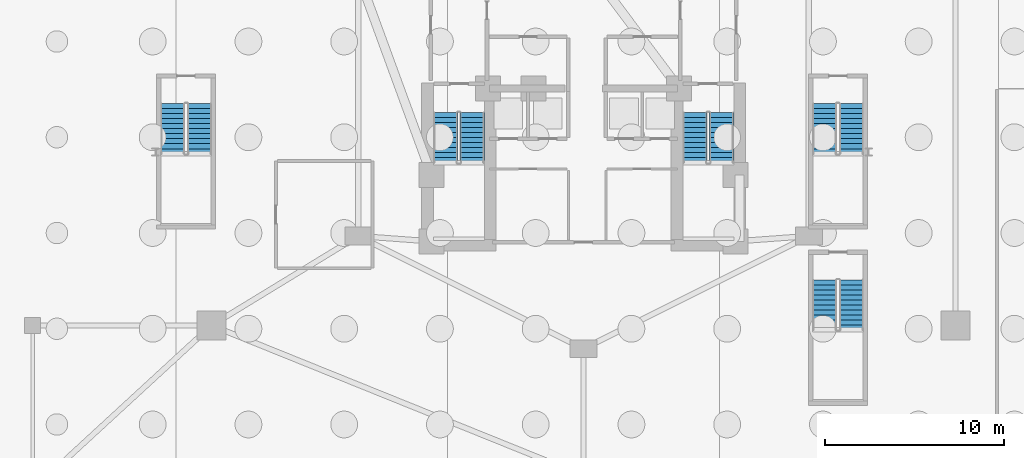
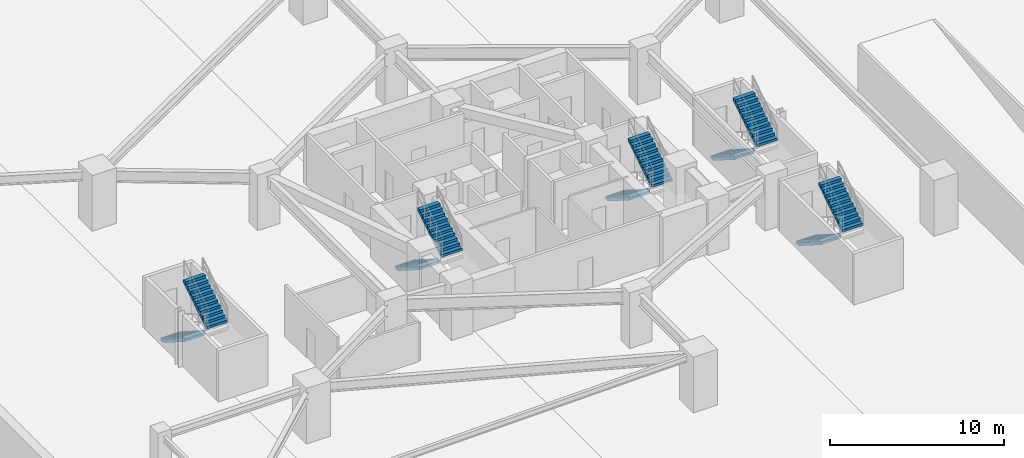
# One storey, part 11 of 14: 10 stair flights, 5 elements without a shape of their own.
"""IFC4 building model written with IfcOpenShell, lengths in metres."""

from ifc_helpers import new_model, si_unit, direction, frame, origin, place, context, subcontext, project, spatial, polyline, outline, extrude, material, type_object, element, aggregate, save


model = new_model("IFC4")

# Units and contexts
model_context = context("Model", 3, precision=1e-05, world=origin(), true_north=direction((0.0, 1.0)))
body_context = subcontext(model_context, "Body", "Model", "MODEL_VIEW")
ifc_project = project(units=[si_unit("LENGTHUNIT", "METRE"), si_unit("AREAUNIT", "SQUARE_METRE"), si_unit("VOLUMEUNIT", "CUBIC_METRE"), si_unit("PLANEANGLEUNIT", "RADIAN"), si_unit("MASSUNIT", "GRAM", prefix="KILO")], contexts=[model_context])

# Site, building, storey
site_placement = place(None, origin())
site = spatial("IfcSite", under=ifc_project, at=site_placement, CompositionType="ELEMENT")
building_placement = place(site_placement, origin())
building = spatial("IfcBuilding", under=site, at=building_placement, Name="Miruveldt Soraemaru", CompositionType="ELEMENT")
storey_placement = place(building_placement, frame((0.0, 0.0, -15.60009765625)))
storey = spatial("IfcBuildingStorey", under=building, at=storey_placement, Name="B4", CompositionType="ELEMENT", Elevation=-15.60009765625)

# Stair, stair flights
ifc_material_1 = material(Name="Concrete C40/50 (40 MPa)", Category="concrete")
stair_type_1 = type_object("IfcStairType", Name="STAIR-DL-390", PredefinedType="HALF_TURN_STAIR", material=ifc_material_1)
stair_1_placement = place(storey_placement, origin())
stair_1 = element("IfcStair", 1, at=stair_1_placement, inside=storey, type_object=stair_type_1, Name="B4 Protected Exit Stair ST-1", PredefinedType="HALF_TURN_STAIR")
stair_flight_type_1 = type_object("IfcStairFlightType", Name="SFL-DL-390", PredefinedType="STRAIGHT", material=ifc_material_1)
stair_flight_1_placement = place(storey_placement, frame((36.27490234375, 42.699951171875, 0.0), z_axis=(0.0, 0.0, 1.0), x_axis=(0.0, -1.0, 0.0)))
stair_flight_1 = element("IfcStairFlight", 2, at=stair_flight_1_placement, type_object=stair_flight_type_1, Name="ST-1 flight 1", NumberOfRisers=11, NumberOfTreads=10, PredefinedType="STRAIGHT", RiserHeight=0.177272727, TreadLength=0.28, context=body_context, shape_type="SweptSolid", body=[
    extrude(outline(polyline([(0.0, 0.0), (0.0, 0.17724609375), (0.280029296875, 0.17724609375), (0.280029296875, 0.3544921875), (0.56005859375, 0.3544921875), (0.56005859375, 0.53173828125), (0.840087890625, 0.53173828125), (0.840087890625, 0.708984375), (1.1201171875, 0.708984375), (1.1201171875, 0.886474609375), (1.39990234375, 0.886474609375), (1.39990234375, 1.063720703125), (1.679931640625, 1.063720703125), (1.679931640625, 1.240966796875), (1.9599609375, 1.240966796875), (1.9599609375, 1.418212890625), (2.239990234375, 1.418212890625), (2.239990234375, 1.595458984375), (2.52001953125, 1.595458984375), (2.52001953125, 1.772705078125), (2.800048828125, 1.772705078125), (2.800048828125, 1.949951171875), (2.800048828125, 1.58349609375), (0.298828125, 0.0), (0.0, 0.0)])), frame((0.0, 0.675048828125, 0.0), z_axis=(0.0, -1.0, 0.0), x_axis=(1.0, 0.0, 0.0)), (0.0, 0.0, 1.0), 1.35009765625),
])
stair_flight_2_placement = place(storey_placement, frame((37.77490234375, 39.89990234375, 1.9501953125), z_axis=(0.0, 0.0, 1.0), x_axis=(0.0, 1.0, 0.0)))
stair_flight_2 = element("IfcStairFlight", 3, at=stair_flight_2_placement, type_object=stair_flight_type_1, Name="ST-1 flight 2", NumberOfRisers=11, NumberOfTreads=10, PredefinedType="STRAIGHT", RiserHeight=0.177272727, TreadLength=0.28, context=body_context, shape_type="SweptSolid", body=[
    extrude(outline(polyline([(0.0, 0.0), (0.0, 0.17724609375), (0.280029296875, 0.17724609375), (0.280029296875, 0.3544921875), (0.56005859375, 0.3544921875), (0.56005859375, 0.53173828125), (0.840087890625, 0.53173828125), (0.840087890625, 0.708984375), (1.1201171875, 0.708984375), (1.1201171875, 0.886474609375), (1.39990234375, 0.886474609375), (1.39990234375, 1.063720703125), (1.679931640625, 1.063720703125), (1.679931640625, 1.240966796875), (1.9599609375, 1.240966796875), (1.9599609375, 1.418212890625), (2.239990234375, 1.418212890625), (2.239990234375, 1.595458984375), (2.52001953125, 1.595458984375), (2.52001953125, 1.772705078125), (2.800048828125, 1.772705078125), (2.800048828125, 1.949951171875), (2.800048828125, 1.58349609375), (0.298828125, 0.0), (0.0, 0.0)])), frame((0.0, 0.675048828125, 0.0), z_axis=(0.0, -1.0, 0.0), x_axis=(1.0, 0.0, 0.0)), (0.0, 0.0, 1.0), 1.35009765625),
])
aggregate(stair_1, [stair_flight_1, stair_flight_2])

stair_2_placement = place(storey_placement, origin())
stair_2 = element("IfcStair", 4, at=stair_2_placement, inside=storey, type_object=stair_type_1, Name="B4 Protected Exit Stair ST-2", PredefinedType="HALF_TURN_STAIR")
stair_flight_3_placement = place(storey_placement, frame((50.22509765625, 42.699951171875, 0.0), z_axis=(0.0, 0.0, 1.0), x_axis=(0.0, -1.0, 0.0)))
stair_flight_3 = element("IfcStairFlight", 5, at=stair_flight_3_placement, type_object=stair_flight_type_1, Name="ST-2 flight 1", NumberOfRisers=11, NumberOfTreads=10, PredefinedType="STRAIGHT", RiserHeight=0.177272727, TreadLength=0.28, context=body_context, shape_type="SweptSolid", body=[
    extrude(outline(polyline([(0.0, 0.0), (0.0, 0.17724609375), (0.280029296875, 0.17724609375), (0.280029296875, 0.3544921875), (0.56005859375, 0.3544921875), (0.56005859375, 0.53173828125), (0.840087890625, 0.53173828125), (0.840087890625, 0.708984375), (1.1201171875, 0.708984375), (1.1201171875, 0.886474609375), (1.39990234375, 0.886474609375), (1.39990234375, 1.063720703125), (1.679931640625, 1.063720703125), (1.679931640625, 1.240966796875), (1.9599609375, 1.240966796875), (1.9599609375, 1.418212890625), (2.239990234375, 1.418212890625), (2.239990234375, 1.595458984375), (2.52001953125, 1.595458984375), (2.52001953125, 1.772705078125), (2.800048828125, 1.772705078125), (2.800048828125, 1.949951171875), (2.800048828125, 1.58349609375), (0.298828125, 0.0), (0.0, 0.0)])), frame((0.0, 0.675048828125, 0.0), z_axis=(0.0, -1.0, 0.0), x_axis=(1.0, 0.0, 0.0)), (0.0, 0.0, 1.0), 1.35009765625),
])
stair_flight_4_placement = place(storey_placement, frame((51.72509765625, 39.89990234375, 1.9501953125), z_axis=(0.0, 0.0, 1.0), x_axis=(0.0, 1.0, 0.0)))
stair_flight_4 = element("IfcStairFlight", 6, at=stair_flight_4_placement, type_object=stair_flight_type_1, Name="ST-2 flight 2", NumberOfRisers=11, NumberOfTreads=10, PredefinedType="STRAIGHT", RiserHeight=0.177272727, TreadLength=0.28, context=body_context, shape_type="SweptSolid", body=[
    extrude(outline(polyline([(0.0, 0.0), (0.0, 0.17724609375), (0.280029296875, 0.17724609375), (0.280029296875, 0.3544921875), (0.56005859375, 0.3544921875), (0.56005859375, 0.53173828125), (0.840087890625, 0.53173828125), (0.840087890625, 0.708984375), (1.1201171875, 0.708984375), (1.1201171875, 0.886474609375), (1.39990234375, 0.886474609375), (1.39990234375, 1.063720703125), (1.679931640625, 1.063720703125), (1.679931640625, 1.240966796875), (1.9599609375, 1.240966796875), (1.9599609375, 1.418212890625), (2.239990234375, 1.418212890625), (2.239990234375, 1.595458984375), (2.52001953125, 1.595458984375), (2.52001953125, 1.772705078125), (2.800048828125, 1.772705078125), (2.800048828125, 1.949951171875), (2.800048828125, 1.58349609375), (0.298828125, 0.0), (0.0, 0.0)])), frame((0.0, 0.675048828125, 0.0), z_axis=(0.0, -1.0, 0.0), x_axis=(1.0, 0.0, 0.0)), (0.0, 0.0, 1.0), 1.35009765625),
])
aggregate(stair_2, [stair_flight_3, stair_flight_4])

stair_3_placement = place(storey_placement, origin())
stair_3 = element("IfcStair", 7, at=stair_3_placement, inside=storey, type_object=stair_type_1, Name="B4 Podium Protected Exit Stair ST-3", PredefinedType="HALF_TURN_STAIR")
stair_flight_5_placement = place(storey_placement, frame((21.02490234375, 43.199951171875, 0.0), z_axis=(0.0, 0.0, 1.0), x_axis=(0.0, -1.0, 0.0)))
stair_flight_5 = element("IfcStairFlight", 8, at=stair_flight_5_placement, type_object=stair_flight_type_1, Name="ST-3 flight 1", NumberOfRisers=11, NumberOfTreads=10, PredefinedType="STRAIGHT", RiserHeight=0.177272727, TreadLength=0.28, context=body_context, shape_type="SweptSolid", body=[
    extrude(outline(polyline([(0.0, 0.0), (0.0, 0.17724609375), (0.280029296875, 0.17724609375), (0.280029296875, 0.3544921875), (0.56005859375, 0.3544921875), (0.56005859375, 0.53173828125), (0.840087890625, 0.53173828125), (0.840087890625, 0.708984375), (1.1201171875, 0.708984375), (1.1201171875, 0.886474609375), (1.39990234375, 0.886474609375), (1.39990234375, 1.063720703125), (1.679931640625, 1.063720703125), (1.679931640625, 1.240966796875), (1.9599609375, 1.240966796875), (1.9599609375, 1.418212890625), (2.239990234375, 1.418212890625), (2.239990234375, 1.595458984375), (2.52001953125, 1.595458984375), (2.52001953125, 1.772705078125), (2.800048828125, 1.772705078125), (2.800048828125, 1.949951171875), (2.800048828125, 1.58349609375), (0.298828125, 0.0), (0.0, 0.0)])), frame((0.0, 0.675048828125, 0.0), z_axis=(0.0, -1.0, 0.0), x_axis=(1.0, 0.0, 0.0)), (0.0, 0.0, 1.0), 1.35009765625),
])
stair_flight_6_placement = place(storey_placement, frame((22.52490234375, 40.39990234375, 1.9501953125), z_axis=(0.0, 0.0, 1.0), x_axis=(0.0, 1.0, 0.0)))
stair_flight_6 = element("IfcStairFlight", 9, at=stair_flight_6_placement, type_object=stair_flight_type_1, Name="ST-3 flight 2", NumberOfRisers=11, NumberOfTreads=10, PredefinedType="STRAIGHT", RiserHeight=0.177272727, TreadLength=0.28, context=body_context, shape_type="SweptSolid", body=[
    extrude(outline(polyline([(0.0, 0.0), (0.0, 0.17724609375), (0.280029296875, 0.17724609375), (0.280029296875, 0.3544921875), (0.56005859375, 0.3544921875), (0.56005859375, 0.53173828125), (0.840087890625, 0.53173828125), (0.840087890625, 0.708984375), (1.1201171875, 0.708984375), (1.1201171875, 0.886474609375), (1.39990234375, 0.886474609375), (1.39990234375, 1.063720703125), (1.679931640625, 1.063720703125), (1.679931640625, 1.240966796875), (1.9599609375, 1.240966796875), (1.9599609375, 1.418212890625), (2.239990234375, 1.418212890625), (2.239990234375, 1.595458984375), (2.52001953125, 1.595458984375), (2.52001953125, 1.772705078125), (2.800048828125, 1.772705078125), (2.800048828125, 1.949951171875), (2.800048828125, 1.58349609375), (0.298828125, 0.0), (0.0, 0.0)])), frame((0.0, 0.675048828125, 0.0), z_axis=(0.0, -1.0, 0.0), x_axis=(1.0, 0.0, 0.0)), (0.0, 0.0, 1.0), 1.35009765625),
])
aggregate(stair_3, [stair_flight_5, stair_flight_6])

ifc_material_2 = material(Name="Steel S355 (355 MPa)", Category="steel")
stair_type_2 = type_object("IfcStairType", Name="STAIR-FEAT-STR", PredefinedType="TWO_STRAIGHT_RUN_STAIR", material=ifc_material_2)
stair_4_placement = place(storey_placement, origin())
stair_4 = element("IfcStair", 10, at=stair_4_placement, inside=storey, type_object=stair_type_2, Name="B4 Podium Garden Feature Stair ST-4", PredefinedType="TWO_STRAIGHT_RUN_STAIR")
stair_flight_type_2 = type_object("IfcStairFlightType", Name="SFL-FEAT-STR", PredefinedType="STRAIGHT", material=ifc_material_2)
stair_flight_7_placement = place(storey_placement, frame((57.47509765625, 43.199951171875, 0.0), z_axis=(0.0, 0.0, 1.0), x_axis=(0.0, -1.0, 0.0)))
stair_flight_7 = element("IfcStairFlight", 11, at=stair_flight_7_placement, type_object=stair_flight_type_2, Name="ST-4 flight 1", NumberOfRisers=11, NumberOfTreads=10, PredefinedType="STRAIGHT", RiserHeight=0.177272727, TreadLength=0.28, context=body_context, shape_type="SweptSolid", body=[
    extrude(outline(polyline([(0.0, 0.0), (0.0, 0.17724609375), (0.280029296875, 0.17724609375), (0.280029296875, 0.3544921875), (0.56005859375, 0.3544921875), (0.56005859375, 0.53173828125), (0.840087890625, 0.53173828125), (0.840087890625, 0.708984375), (1.1201171875, 0.708984375), (1.1201171875, 0.886474609375), (1.39990234375, 0.886474609375), (1.39990234375, 1.063720703125), (1.679931640625, 1.063720703125), (1.679931640625, 1.240966796875), (1.9599609375, 1.240966796875), (1.9599609375, 1.418212890625), (2.239990234375, 1.418212890625), (2.239990234375, 1.595458984375), (2.52001953125, 1.595458984375), (2.52001953125, 1.772705078125), (2.800048828125, 1.772705078125), (2.800048828125, 1.949951171875), (2.800048828125, 1.58349609375), (0.298828125, 0.0), (0.0, 0.0)])), frame((0.0, 0.675048828125, 0.0), z_axis=(0.0, -1.0, 0.0), x_axis=(1.0, 0.0, 0.0)), (0.0, 0.0, 1.0), 1.35009765625),
])
stair_flight_8_placement = place(storey_placement, frame((58.97509765625, 40.39990234375, 1.9501953125), z_axis=(0.0, 0.0, 1.0), x_axis=(0.0, 1.0, 0.0)))
stair_flight_8 = element("IfcStairFlight", 12, at=stair_flight_8_placement, type_object=stair_flight_type_2, Name="ST-4 flight 2", NumberOfRisers=11, NumberOfTreads=10, PredefinedType="STRAIGHT", RiserHeight=0.177272727, TreadLength=0.28, context=body_context, shape_type="SweptSolid", body=[
    extrude(outline(polyline([(0.0, 0.0), (0.0, 0.17724609375), (0.280029296875, 0.17724609375), (0.280029296875, 0.3544921875), (0.56005859375, 0.3544921875), (0.56005859375, 0.53173828125), (0.840087890625, 0.53173828125), (0.840087890625, 0.708984375), (1.1201171875, 0.708984375), (1.1201171875, 0.886474609375), (1.39990234375, 0.886474609375), (1.39990234375, 1.063720703125), (1.679931640625, 1.063720703125), (1.679931640625, 1.240966796875), (1.9599609375, 1.240966796875), (1.9599609375, 1.418212890625), (2.239990234375, 1.418212890625), (2.239990234375, 1.595458984375), (2.52001953125, 1.595458984375), (2.52001953125, 1.772705078125), (2.800048828125, 1.772705078125), (2.800048828125, 1.949951171875), (2.800048828125, 1.58349609375), (0.298828125, 0.0), (0.0, 0.0)])), frame((0.0, 0.675048828125, 0.0), z_axis=(0.0, -1.0, 0.0), x_axis=(1.0, 0.0, 0.0)), (0.0, 0.0, 1.0), 1.35009765625),
])
aggregate(stair_4, [stair_flight_7, stair_flight_8])

stair_5_placement = place(storey_placement, origin())
stair_5 = element("IfcStair", 13, at=stair_5_placement, inside=storey, type_object=stair_type_2, Name="B4 Basement Service Dogleg Stair ST-5", PredefinedType="TWO_STRAIGHT_RUN_STAIR")
stair_flight_9_placement = place(storey_placement, frame((57.47509765625, 33.35009765625, 0.0), z_axis=(0.0, 0.0, 1.0), x_axis=(0.0, -1.0, 0.0)))
stair_flight_9 = element("IfcStairFlight", 14, at=stair_flight_9_placement, type_object=stair_flight_type_2, Name="ST-5 flight 1", NumberOfRisers=11, NumberOfTreads=10, PredefinedType="STRAIGHT", RiserHeight=0.177272727, TreadLength=0.28, context=body_context, shape_type="SweptSolid", body=[
    extrude(outline(polyline([(0.0, 0.0), (0.0, 0.17724609375), (0.280029296875, 0.17724609375), (0.280029296875, 0.3544921875), (0.56005859375, 0.3544921875), (0.56005859375, 0.53173828125), (0.840087890625, 0.53173828125), (0.840087890625, 0.708984375), (1.1201171875, 0.708984375), (1.1201171875, 0.886474609375), (1.39990234375, 0.886474609375), (1.39990234375, 1.063720703125), (1.679931640625, 1.063720703125), (1.679931640625, 1.240966796875), (1.9599609375, 1.240966796875), (1.9599609375, 1.418212890625), (2.239990234375, 1.418212890625), (2.239990234375, 1.595458984375), (2.52001953125, 1.595458984375), (2.52001953125, 1.772705078125), (2.800048828125, 1.772705078125), (2.800048828125, 1.949951171875), (2.800048828125, 1.58349609375), (0.298828125, 0.0), (0.0, 0.0)])), frame((0.0, 0.675048828125, 0.0), z_axis=(0.0, -1.0, 0.0), x_axis=(1.0, 0.0, 0.0)), (0.0, 0.0, 1.0), 1.35009765625),
])
stair_flight_10_placement = place(storey_placement, frame((58.97509765625, 30.550048828125, 1.9501953125), z_axis=(0.0, 0.0, 1.0), x_axis=(0.0, 1.0, 0.0)))
stair_flight_10 = element("IfcStairFlight", 15, at=stair_flight_10_placement, type_object=stair_flight_type_2, Name="ST-5 flight 2", NumberOfRisers=11, NumberOfTreads=10, PredefinedType="STRAIGHT", RiserHeight=0.177272727, TreadLength=0.28, context=body_context, shape_type="SweptSolid", body=[
    extrude(outline(polyline([(0.0, 0.0), (0.0, 0.17724609375), (0.280029296875, 0.17724609375), (0.280029296875, 0.3544921875), (0.56005859375, 0.3544921875), (0.56005859375, 0.53173828125), (0.840087890625, 0.53173828125), (0.840087890625, 0.708984375), (1.1201171875, 0.708984375), (1.1201171875, 0.886474609375), (1.39990234375, 0.886474609375), (1.39990234375, 1.063720703125), (1.679931640625, 1.063720703125), (1.679931640625, 1.240966796875), (1.9599609375, 1.240966796875), (1.9599609375, 1.418212890625), (2.239990234375, 1.418212890625), (2.239990234375, 1.595458984375), (2.52001953125, 1.595458984375), (2.52001953125, 1.772705078125), (2.800048828125, 1.772705078125), (2.800048828125, 1.949951171875), (2.800048828125, 1.58349609375), (0.298828125, 0.0), (0.0, 0.0)])), frame((0.0, 0.675048828125, 0.0), z_axis=(0.0, -1.0, 0.0), x_axis=(1.0, 0.0, 0.0)), (0.0, 0.0, 1.0), 1.35009765625),
])
aggregate(stair_5, [stair_flight_9, stair_flight_10])

save(model, "model.ifc")
